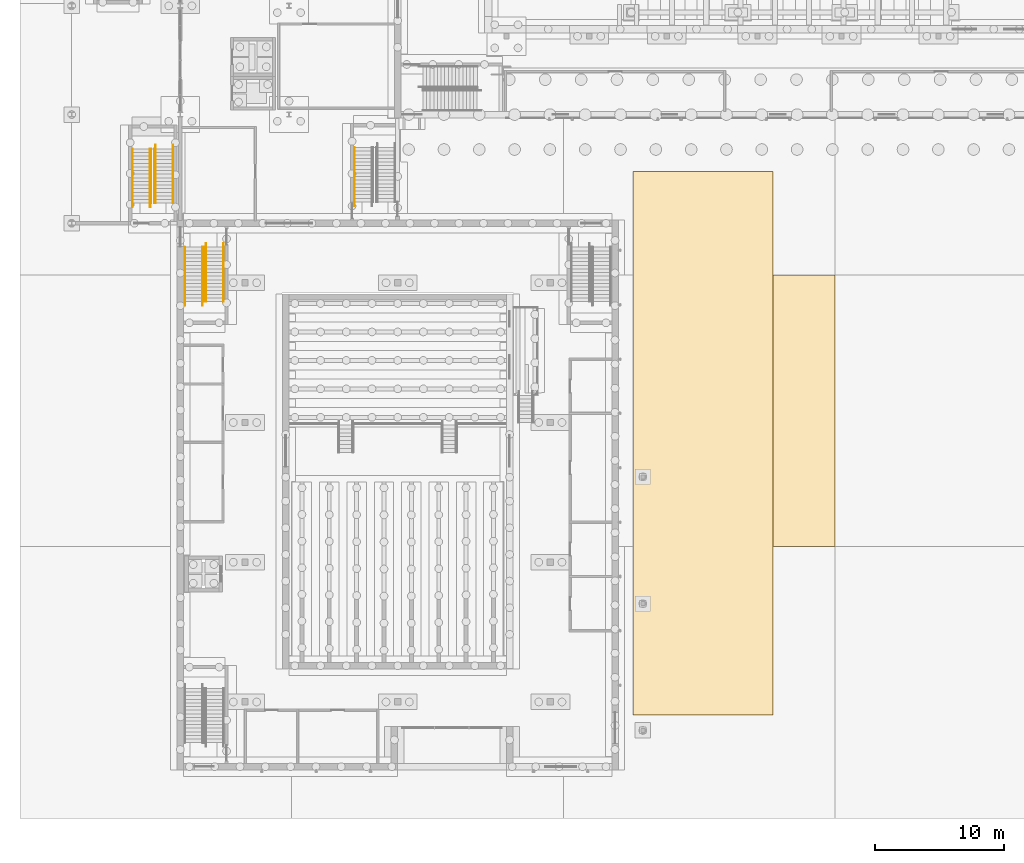
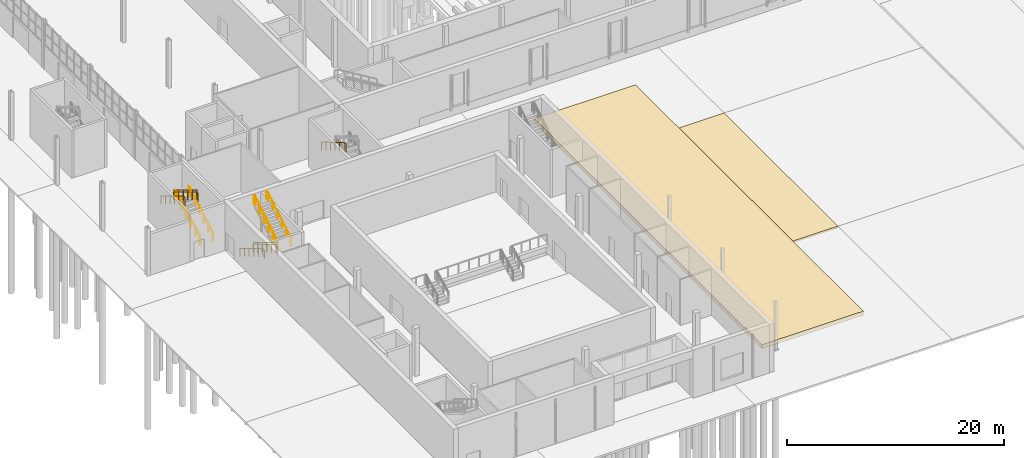
# One storey, part 98 of 127: 13 railings, 2 coverings.
"""IFC4 building model written with IfcOpenShell, lengths in metres."""

from ifc_helpers import new_model, si_unit, direction, frame, origin, origin_2d, place, context, subcontext, project, spatial, polyline, circle, outline, extrude, material, layer, layer_set, type_object, element, save


model = new_model("IFC4")

# Units and contexts
model_context = context("Model", 3, precision=1e-05, world=origin(), true_north=direction((0.0, 1.0)))
body_context = subcontext(model_context, "Body", "Model", "MODEL_VIEW")
ifc_project = project(units=[si_unit("LENGTHUNIT", "METRE"), si_unit("AREAUNIT", "SQUARE_METRE"), si_unit("VOLUMEUNIT", "CUBIC_METRE"), si_unit("PLANEANGLEUNIT", "RADIAN"), si_unit("MASSUNIT", "GRAM", prefix="KILO")], contexts=[model_context])

# Site, building, storey
site_placement = place(None, origin())
site = spatial("IfcSite", under=ifc_project, at=site_placement, CompositionType="ELEMENT")
building_placement = place(site_placement, origin())
building = spatial("IfcBuilding", under=site, at=building_placement, Name="Ljudholm Concert House", CompositionType="ELEMENT")
storey_placement = place(building_placement, origin())
storey = spatial("IfcBuildingStorey", under=building, at=storey_placement, Name="L00", CompositionType="ELEMENT", Elevation=0.0)

# Railings
ifc_material_1 = material(Name="Steel ASTM A36", Category="steel")
railing_type_1 = type_object("IfcRailingType", Name="GUARD 1100", PredefinedType="GUARDRAIL", material=ifc_material_1)
railing_1_placement = place(storey_placement, frame((14.175048828125, 44.14990234375, 0.168701171875)))
element("IfcRailing", 1, at=railing_1_placement, inside=storey, type_object=railing_type_1, Name="Guard", PredefinedType="GUARDRAIL", context=body_context, shape_type="SweptSolid", body=[
    extrude(circle(Radius=0.02490234375, at=origin_2d()), frame((0.0, 0.0, 1.0751953125), z_axis=(0.0, -0.856392657067, 0.516325107778), x_axis=(1.0, 0.0, 0.0)), (0.0, 0.0, 1.0), 0.980712890625),
    extrude(circle(Radius=0.02490234375, at=origin_2d()), frame((0.0, -0.83984375, 1.58154296875), z_axis=(0.0, -0.856569041035, 0.516032438845), x_axis=(1.0, 0.0, 0.0)), (0.0, 0.0, 1.0), 0.980712890625),
    extrude(circle(Radius=0.02490234375, at=origin_2d()), frame((0.0, -1.679931640625, 2.08740234375), z_axis=(0.0, -0.856459004192, 0.516215046409), x_axis=(1.0, 0.0, 0.0)), (0.0, 0.0, 1.0), 0.98095703125),
    extrude(circle(Radius=0.02490234375, at=origin_2d()), frame((0.0, -2.52001953125, 2.59375), z_axis=(0.0, -0.856392657067, 0.516325107778), x_axis=(1.0, 0.0, 0.0)), (0.0, 0.0, 1.0), 0.980712890625),
    extrude(circle(Radius=0.02490234375, at=origin_2d()), frame((0.0, -3.35986328125, 3.10009765625), z_axis=(0.0, -0.856569041035, 0.516032438845), x_axis=(1.0, 0.0, 0.0)), (0.0, 0.0, 1.0), 0.980712890625),
    extrude(circle(Radius=0.02099609375, at=origin_2d()), origin(), (0.0, 0.0, 1.0), 1.050048828125),
    extrude(circle(Radius=0.02099609375, at=origin_2d()), frame((0.0, -0.83984375, 0.50634765625)), (0.0, 0.0, 1.0), 1.050048828125),
    extrude(circle(Radius=0.02099609375, at=origin_2d()), frame((0.0, -1.679931640625, 1.012451171875)), (0.0, 0.0, 1.0), 1.050048828125),
    extrude(circle(Radius=0.02099609375, at=origin_2d()), frame((0.0, -2.52001953125, 1.518798828125)), (0.0, 0.0, 1.0), 1.050048828125),
    extrude(circle(Radius=0.02099609375, at=origin_2d()), frame((0.0, -3.35986328125, 2.025146484375)), (0.0, 0.0, 1.0), 1.050048828125),
    extrude(circle(Radius=0.02099609375, at=origin_2d()), frame((0.0, -4.199951171875, 2.53125)), (0.0, 0.0, 1.0), 1.050048828125),
])
railing_2_placement = place(storey_placement, frame((14.324951171875, 39.949951171875, 2.86865234375)))
element("IfcRailing", 2, at=railing_2_placement, inside=storey, type_object=railing_type_1, Name="Guard", PredefinedType="GUARDRAIL", context=body_context, shape_type="SweptSolid", body=[
    extrude(circle(Radius=0.02490234375, at=origin_2d()), frame((0.0, 0.0, 1.0751953125), z_axis=(0.0, 0.856459004192, 0.516215046409), x_axis=(-1.0, 0.0, 0.0)), (0.0, 0.0, 1.0), 0.98095703125),
    extrude(circle(Radius=0.02490234375, at=origin_2d()), frame((0.0, 0.840087890625, 1.58154296875), z_axis=(0.0, 0.856392657067, 0.516325107778), x_axis=(-1.0, 0.0, 0.0)), (0.0, 0.0, 1.0), 0.980712890625),
    extrude(circle(Radius=0.02490234375, at=origin_2d()), frame((0.0, 1.679931640625, 2.087890625), z_axis=(0.0, 0.856569041035, 0.516032438845), x_axis=(-1.0, 0.0, 0.0)), (0.0, 0.0, 1.0), 0.980712890625),
    extrude(circle(Radius=0.02490234375, at=origin_2d()), frame((0.0, 2.52001953125, 2.59375), z_axis=(0.0, 0.856459004192, 0.516215046409), x_axis=(-1.0, 0.0, 0.0)), (0.0, 0.0, 1.0), 0.98095703125),
    extrude(circle(Radius=0.02490234375, at=origin_2d()), frame((0.0, 3.360107421875, 3.10009765625), z_axis=(0.0, 0.856502732318, 0.516142489563), x_axis=(-1.0, 0.0, 0.0)), (0.0, 0.0, 1.0), 0.98046875),
    extrude(circle(Radius=0.02099609375, at=origin_2d()), origin(), (0.0, 0.0, 1.0), 1.050048828125),
    extrude(circle(Radius=0.02099609375, at=origin_2d()), frame((0.0, 0.840087890625, 0.50634765625)), (0.0, 0.0, 1.0), 1.050048828125),
    extrude(circle(Radius=0.02099609375, at=origin_2d()), frame((0.0, 1.679931640625, 1.0126953125)), (0.0, 0.0, 1.0), 1.050048828125),
    extrude(circle(Radius=0.02099609375, at=origin_2d()), frame((0.0, 2.52001953125, 1.518798828125)), (0.0, 0.0, 1.0), 1.050048828125),
    extrude(circle(Radius=0.02099609375, at=origin_2d()), frame((0.0, 3.360107421875, 2.025146484375)), (0.0, 0.0, 1.0), 1.050048828125),
    extrude(circle(Radius=0.02099609375, at=origin_2d()), frame((0.0, 4.199951171875, 2.53125)), (0.0, 0.0, 1.0), 1.050048828125),
])
railing_3_placement = place(storey_placement, frame((10.425048828125, 47.550048828125, 0.168701171875)))
element("IfcRailing", 3, at=railing_3_placement, inside=storey, type_object=railing_type_1, Name="Guard", PredefinedType="GUARDRAIL", context=body_context, shape_type="SweptSolid", body=[
    extrude(circle(Radius=0.02490234375, at=origin_2d()), frame((0.0, 0.0, 1.0751953125), z_axis=(0.0, 0.856392657067, 0.516325107778), x_axis=(-1.0, 0.0, 0.0)), (0.0, 0.0, 1.0), 0.980712890625),
    extrude(circle(Radius=0.02490234375, at=origin_2d()), frame((0.0, 0.83984375, 1.58154296875), z_axis=(0.0, 0.856569041035, 0.516032438845), x_axis=(-1.0, 0.0, 0.0)), (0.0, 0.0, 1.0), 0.980712890625),
    extrude(circle(Radius=0.02490234375, at=origin_2d()), frame((0.0, 1.679931640625, 2.08740234375), z_axis=(0.0, 0.856459004192, 0.516215046409), x_axis=(-1.0, 0.0, 0.0)), (0.0, 0.0, 1.0), 0.98095703125),
    extrude(circle(Radius=0.02490234375, at=origin_2d()), frame((0.0, 2.52001953125, 2.59375), z_axis=(0.0, 0.856392657067, 0.516325107778), x_axis=(-1.0, 0.0, 0.0)), (0.0, 0.0, 1.0), 0.980712890625),
    extrude(circle(Radius=0.02490234375, at=origin_2d()), frame((0.0, 3.35986328125, 3.10009765625), z_axis=(0.0, 0.856569041035, 0.516032438845), x_axis=(-1.0, 0.0, 0.0)), (0.0, 0.0, 1.0), 0.980712890625),
    extrude(circle(Radius=0.02099609375, at=origin_2d()), origin(), (0.0, 0.0, 1.0), 1.050048828125),
    extrude(circle(Radius=0.02099609375, at=origin_2d()), frame((0.0, 0.83984375, 0.50634765625)), (0.0, 0.0, 1.0), 1.050048828125),
    extrude(circle(Radius=0.02099609375, at=origin_2d()), frame((0.0, 1.679931640625, 1.012451171875)), (0.0, 0.0, 1.0), 1.050048828125),
    extrude(circle(Radius=0.02099609375, at=origin_2d()), frame((0.0, 2.52001953125, 1.518798828125)), (0.0, 0.0, 1.0), 1.050048828125),
    extrude(circle(Radius=0.02099609375, at=origin_2d()), frame((0.0, 3.35986328125, 2.025146484375)), (0.0, 0.0, 1.0), 1.050048828125),
    extrude(circle(Radius=0.02099609375, at=origin_2d()), frame((0.0, 4.199951171875, 2.53125)), (0.0, 0.0, 1.0), 1.050048828125),
])
railing_4_placement = place(storey_placement, frame((10.125, 51.75, 2.86865234375)))
element("IfcRailing", 4, at=railing_4_placement, inside=storey, type_object=railing_type_1, Name="Guard", PredefinedType="GUARDRAIL", context=body_context, shape_type="SweptSolid", body=[
    extrude(circle(Radius=0.02490234375, at=origin_2d()), frame((0.0, 0.0, 1.0751953125), z_axis=(0.0, -0.856459004192, 0.516215046409), x_axis=(1.0, 0.0, 0.0)), (0.0, 0.0, 1.0), 0.98095703125),
    extrude(circle(Radius=0.02490234375, at=origin_2d()), frame((0.0, -0.840087890625, 1.58154296875), z_axis=(0.0, -0.856392657067, 0.516325107778), x_axis=(1.0, 0.0, 0.0)), (0.0, 0.0, 1.0), 0.980712890625),
    extrude(circle(Radius=0.02490234375, at=origin_2d()), frame((0.0, -1.679931640625, 2.087890625), z_axis=(0.0, -0.856569041035, 0.516032438845), x_axis=(1.0, 0.0, 0.0)), (0.0, 0.0, 1.0), 0.980712890625),
    extrude(circle(Radius=0.02490234375, at=origin_2d()), frame((0.0, -2.52001953125, 2.59375), z_axis=(0.0, -0.856459004192, 0.516215046409), x_axis=(1.0, 0.0, 0.0)), (0.0, 0.0, 1.0), 0.98095703125),
    extrude(circle(Radius=0.02490234375, at=origin_2d()), frame((0.0, -3.360107421875, 3.10009765625), z_axis=(0.0, -0.856502732318, 0.516142489563), x_axis=(1.0, 0.0, 0.0)), (0.0, 0.0, 1.0), 0.98046875),
    extrude(circle(Radius=0.02099609375, at=origin_2d()), origin(), (0.0, 0.0, 1.0), 1.050048828125),
    extrude(circle(Radius=0.02099609375, at=origin_2d()), frame((0.0, -0.840087890625, 0.50634765625)), (0.0, 0.0, 1.0), 1.050048828125),
    extrude(circle(Radius=0.02099609375, at=origin_2d()), frame((0.0, -1.679931640625, 1.0126953125)), (0.0, 0.0, 1.0), 1.050048828125),
    extrude(circle(Radius=0.02099609375, at=origin_2d()), frame((0.0, -2.52001953125, 1.518798828125)), (0.0, 0.0, 1.0), 1.050048828125),
    extrude(circle(Radius=0.02099609375, at=origin_2d()), frame((0.0, -3.360107421875, 2.025146484375)), (0.0, 0.0, 1.0), 1.050048828125),
    extrude(circle(Radius=0.02099609375, at=origin_2d()), frame((0.0, -4.199951171875, 2.53125)), (0.0, 0.0, 1.0), 1.050048828125),
])
ifc_material_2 = material(Name="Steel ASTM A36", Category="steel")
railing_type_2 = type_object("IfcRailingType", Name="HANDRAIL 900", PredefinedType="HANDRAIL", material=ifc_material_2)
railing_5_placement = place(storey_placement, frame((14.125, 44.14990234375, 0.168701171875)))
element("IfcRailing", 5, at=railing_5_placement, inside=storey, type_object=railing_type_2, Name="Handrail", PredefinedType="HANDRAIL", context=body_context, shape_type="SweptSolid", body=[
    extrude(circle(Radius=0.0224609375, at=origin_2d()), frame((0.0, 0.0, 0.87744140625), z_axis=(0.0, -0.856392657067, 0.516325107778), x_axis=(1.0, 0.0, 0.0)), (0.0, 0.0, 1.0), 0.980712890625),
    extrude(circle(Radius=0.0224609375, at=origin_2d()), frame((0.0, -0.83984375, 1.3837890625), z_axis=(0.0, -0.856569041035, 0.516032438845), x_axis=(1.0, 0.0, 0.0)), (0.0, 0.0, 1.0), 0.980712890625),
    extrude(circle(Radius=0.0224609375, at=origin_2d()), frame((0.0, -1.679931640625, 1.889892578125), z_axis=(0.0, -0.856459004192, 0.516215046409), x_axis=(1.0, 0.0, 0.0)), (0.0, 0.0, 1.0), 0.98095703125),
    extrude(circle(Radius=0.0224609375, at=origin_2d()), frame((0.0, -2.52001953125, 2.396240234375), z_axis=(0.0, -0.856392657067, 0.516325107778), x_axis=(1.0, 0.0, 0.0)), (0.0, 0.0, 1.0), 0.980712890625),
    extrude(circle(Radius=0.0224609375, at=origin_2d()), frame((0.0, -3.35986328125, 2.902587890625), z_axis=(0.0, -0.856569041035, 0.516032438845), x_axis=(1.0, 0.0, 0.0)), (0.0, 0.0, 1.0), 0.980712890625),
    extrude(circle(Radius=0.0224609375, at=origin_2d()), frame((0.0, -4.199951171875, 3.40869140625), z_axis=(0.0, -1.0, 0.0), x_axis=(1.0, 0.0, 0.0)), (0.0, 0.0, 1.0), 0.300048828125),
    extrude(circle(Radius=0.02099609375, at=origin_2d()), origin(), (0.0, 0.0, 1.0), 0.85498046875),
    extrude(circle(Radius=0.02099609375, at=origin_2d()), frame((0.0, -0.83984375, 0.50634765625)), (0.0, 0.0, 1.0), 0.85498046875),
    extrude(circle(Radius=0.02099609375, at=origin_2d()), frame((0.0, -1.679931640625, 1.012451171875)), (0.0, 0.0, 1.0), 0.85498046875),
    extrude(circle(Radius=0.02099609375, at=origin_2d()), frame((0.0, -2.52001953125, 1.518798828125)), (0.0, 0.0, 1.0), 0.85498046875),
    extrude(circle(Radius=0.02099609375, at=origin_2d()), frame((0.0, -3.35986328125, 2.025146484375)), (0.0, 0.0, 1.0), 0.85498046875),
    extrude(circle(Radius=0.02099609375, at=origin_2d()), frame((0.0, -4.199951171875, 2.53125)), (0.0, 0.0, 1.0), 0.85498046875),
    extrude(circle(Radius=0.02099609375, at=origin_2d()), frame((0.0, -4.5, 2.53125)), (0.0, 0.0, 1.0), 0.85498046875),
])
railing_6_placement = place(storey_placement, frame((12.75, 44.14990234375, 0.168701171875)))
element("IfcRailing", 6, at=railing_6_placement, inside=storey, type_object=railing_type_2, Name="Handrail", PredefinedType="HANDRAIL", context=body_context, shape_type="SweptSolid", body=[
    extrude(circle(Radius=0.0224609375, at=origin_2d()), frame((0.0, 0.0, 0.87744140625), z_axis=(0.0, -0.856392657067, 0.516325107778), x_axis=(1.0, 0.0, 0.0)), (0.0, 0.0, 1.0), 0.980712890625),
    extrude(circle(Radius=0.0224609375, at=origin_2d()), frame((0.0, -0.83984375, 1.3837890625), z_axis=(0.0, -0.856569041035, 0.516032438845), x_axis=(1.0, 0.0, 0.0)), (0.0, 0.0, 1.0), 0.980712890625),
    extrude(circle(Radius=0.0224609375, at=origin_2d()), frame((0.0, -1.679931640625, 1.889892578125), z_axis=(0.0, -0.856459004192, 0.516215046409), x_axis=(1.0, 0.0, 0.0)), (0.0, 0.0, 1.0), 0.98095703125),
    extrude(circle(Radius=0.0224609375, at=origin_2d()), frame((0.0, -2.52001953125, 2.396240234375), z_axis=(0.0, -0.856392657067, 0.516325107778), x_axis=(1.0, 0.0, 0.0)), (0.0, 0.0, 1.0), 0.980712890625),
    extrude(circle(Radius=0.0224609375, at=origin_2d()), frame((0.0, -3.35986328125, 2.902587890625), z_axis=(0.0, -0.856569041035, 0.516032438845), x_axis=(1.0, 0.0, 0.0)), (0.0, 0.0, 1.0), 0.980712890625),
    extrude(circle(Radius=0.0224609375, at=origin_2d()), frame((0.0, -4.199951171875, 3.40869140625), z_axis=(0.0, -1.0, 0.0), x_axis=(1.0, 0.0, 0.0)), (0.0, 0.0, 1.0), 0.300048828125),
    extrude(circle(Radius=0.02099609375, at=origin_2d()), origin(), (0.0, 0.0, 1.0), 0.85498046875),
    extrude(circle(Radius=0.02099609375, at=origin_2d()), frame((0.0, -0.83984375, 0.50634765625)), (0.0, 0.0, 1.0), 0.85498046875),
    extrude(circle(Radius=0.02099609375, at=origin_2d()), frame((0.0, -1.679931640625, 1.012451171875)), (0.0, 0.0, 1.0), 0.85498046875),
    extrude(circle(Radius=0.02099609375, at=origin_2d()), frame((0.0, -2.52001953125, 1.518798828125)), (0.0, 0.0, 1.0), 0.85498046875),
    extrude(circle(Radius=0.02099609375, at=origin_2d()), frame((0.0, -3.35986328125, 2.025146484375)), (0.0, 0.0, 1.0), 0.85498046875),
    extrude(circle(Radius=0.02099609375, at=origin_2d()), frame((0.0, -4.199951171875, 2.53125)), (0.0, 0.0, 1.0), 0.85498046875),
    extrude(circle(Radius=0.02099609375, at=origin_2d()), frame((0.0, -4.5, 2.53125)), (0.0, 0.0, 1.0), 0.85498046875),
])
railing_7_placement = place(storey_placement, frame((14.375, 39.949951171875, 2.86865234375)))
element("IfcRailing", 7, at=railing_7_placement, inside=storey, type_object=railing_type_2, Name="Handrail", PredefinedType="HANDRAIL", context=body_context, shape_type="SweptSolid", body=[
    extrude(circle(Radius=0.0224609375, at=origin_2d()), frame((0.0, 0.0, 0.87744140625), z_axis=(0.0, 0.856459004192, 0.516215046409), x_axis=(-1.0, 0.0, 0.0)), (0.0, 0.0, 1.0), 0.98095703125),
    extrude(circle(Radius=0.0224609375, at=origin_2d()), frame((0.0, 0.840087890625, 1.3837890625), z_axis=(0.0, 0.856392657067, 0.516325107778), x_axis=(-1.0, 0.0, 0.0)), (0.0, 0.0, 1.0), 0.980712890625),
    extrude(circle(Radius=0.0224609375, at=origin_2d()), frame((0.0, 1.679931640625, 1.89013671875), z_axis=(0.0, 0.856569041035, 0.516032438845), x_axis=(-1.0, 0.0, 0.0)), (0.0, 0.0, 1.0), 0.980712890625),
    extrude(circle(Radius=0.0224609375, at=origin_2d()), frame((0.0, 2.52001953125, 2.396240234375), z_axis=(0.0, 0.856459004192, 0.516215046409), x_axis=(-1.0, 0.0, 0.0)), (0.0, 0.0, 1.0), 0.98095703125),
    extrude(circle(Radius=0.0224609375, at=origin_2d()), frame((0.0, 3.360107421875, 2.902587890625), z_axis=(0.0, 0.856502732318, 0.516142489563), x_axis=(-1.0, 0.0, 0.0)), (0.0, 0.0, 1.0), 0.98046875),
    extrude(circle(Radius=0.0224609375, at=origin_2d()), frame((0.0, 4.199951171875, 3.40869140625), z_axis=(0.0, 1.0, 0.0), x_axis=(-1.0, 0.0, 0.0)), (0.0, 0.0, 1.0), 0.300048828125),
    extrude(circle(Radius=0.02099609375, at=origin_2d()), origin(), (0.0, 0.0, 1.0), 0.85498046875),
    extrude(circle(Radius=0.02099609375, at=origin_2d()), frame((0.0, 0.840087890625, 0.50634765625)), (0.0, 0.0, 1.0), 0.85498046875),
    extrude(circle(Radius=0.02099609375, at=origin_2d()), frame((0.0, 1.679931640625, 1.0126953125)), (0.0, 0.0, 1.0), 0.85498046875),
    extrude(circle(Radius=0.02099609375, at=origin_2d()), frame((0.0, 2.52001953125, 1.518798828125)), (0.0, 0.0, 1.0), 0.85498046875),
    extrude(circle(Radius=0.02099609375, at=origin_2d()), frame((0.0, 3.360107421875, 2.025146484375)), (0.0, 0.0, 1.0), 0.85498046875),
    extrude(circle(Radius=0.02099609375, at=origin_2d()), frame((0.0, 4.199951171875, 2.53125)), (0.0, 0.0, 1.0), 0.85498046875),
    extrude(circle(Radius=0.02099609375, at=origin_2d()), frame((0.0, 4.5, 2.53125)), (0.0, 0.0, 1.0), 0.85498046875),
])
railing_8_placement = place(storey_placement, frame((15.75, 39.949951171875, 2.86865234375)))
element("IfcRailing", 8, at=railing_8_placement, inside=storey, type_object=railing_type_2, Name="Handrail", PredefinedType="HANDRAIL", context=body_context, shape_type="SweptSolid", body=[
    extrude(circle(Radius=0.0224609375, at=origin_2d()), frame((0.0, 0.0, 0.87744140625), z_axis=(0.0, 0.856459004192, 0.516215046409), x_axis=(-1.0, 0.0, 0.0)), (0.0, 0.0, 1.0), 0.98095703125),
    extrude(circle(Radius=0.0224609375, at=origin_2d()), frame((0.0, 0.840087890625, 1.3837890625), z_axis=(0.0, 0.856392657067, 0.516325107778), x_axis=(-1.0, 0.0, 0.0)), (0.0, 0.0, 1.0), 0.980712890625),
    extrude(circle(Radius=0.0224609375, at=origin_2d()), frame((0.0, 1.679931640625, 1.89013671875), z_axis=(0.0, 0.856569041035, 0.516032438845), x_axis=(-1.0, 0.0, 0.0)), (0.0, 0.0, 1.0), 0.980712890625),
    extrude(circle(Radius=0.0224609375, at=origin_2d()), frame((0.0, 2.52001953125, 2.396240234375), z_axis=(0.0, 0.856459004192, 0.516215046409), x_axis=(-1.0, 0.0, 0.0)), (0.0, 0.0, 1.0), 0.98095703125),
    extrude(circle(Radius=0.0224609375, at=origin_2d()), frame((0.0, 3.360107421875, 2.902587890625), z_axis=(0.0, 0.856502732318, 0.516142489563), x_axis=(-1.0, 0.0, 0.0)), (0.0, 0.0, 1.0), 0.98046875),
    extrude(circle(Radius=0.0224609375, at=origin_2d()), frame((0.0, 4.199951171875, 3.40869140625), z_axis=(0.0, 1.0, 0.0), x_axis=(-1.0, 0.0, 0.0)), (0.0, 0.0, 1.0), 0.300048828125),
    extrude(circle(Radius=0.02099609375, at=origin_2d()), origin(), (0.0, 0.0, 1.0), 0.85498046875),
    extrude(circle(Radius=0.02099609375, at=origin_2d()), frame((0.0, 0.840087890625, 0.50634765625)), (0.0, 0.0, 1.0), 0.85498046875),
    extrude(circle(Radius=0.02099609375, at=origin_2d()), frame((0.0, 1.679931640625, 1.0126953125)), (0.0, 0.0, 1.0), 0.85498046875),
    extrude(circle(Radius=0.02099609375, at=origin_2d()), frame((0.0, 2.52001953125, 1.518798828125)), (0.0, 0.0, 1.0), 0.85498046875),
    extrude(circle(Radius=0.02099609375, at=origin_2d()), frame((0.0, 3.360107421875, 2.025146484375)), (0.0, 0.0, 1.0), 0.85498046875),
    extrude(circle(Radius=0.02099609375, at=origin_2d()), frame((0.0, 4.199951171875, 2.53125)), (0.0, 0.0, 1.0), 0.85498046875),
    extrude(circle(Radius=0.02099609375, at=origin_2d()), frame((0.0, 4.5, 2.53125)), (0.0, 0.0, 1.0), 0.85498046875),
])
railing_9_placement = place(storey_placement, frame((10.47509765625, 47.550048828125, 0.168701171875)))
element("IfcRailing", 9, at=railing_9_placement, inside=storey, type_object=railing_type_2, Name="Handrail", PredefinedType="HANDRAIL", context=body_context, shape_type="SweptSolid", body=[
    extrude(circle(Radius=0.0224609375, at=origin_2d()), frame((0.0, 0.0, 0.87744140625), z_axis=(0.0, 0.856392657067, 0.516325107778), x_axis=(-1.0, 0.0, 0.0)), (0.0, 0.0, 1.0), 0.980712890625),
    extrude(circle(Radius=0.0224609375, at=origin_2d()), frame((0.0, 0.83984375, 1.3837890625), z_axis=(0.0, 0.856569041035, 0.516032438845), x_axis=(-1.0, 0.0, 0.0)), (0.0, 0.0, 1.0), 0.980712890625),
    extrude(circle(Radius=0.0224609375, at=origin_2d()), frame((0.0, 1.679931640625, 1.889892578125), z_axis=(0.0, 0.856459004192, 0.516215046409), x_axis=(-1.0, 0.0, 0.0)), (0.0, 0.0, 1.0), 0.98095703125),
    extrude(circle(Radius=0.0224609375, at=origin_2d()), frame((0.0, 2.52001953125, 2.396240234375), z_axis=(0.0, 0.856392657067, 0.516325107778), x_axis=(-1.0, 0.0, 0.0)), (0.0, 0.0, 1.0), 0.980712890625),
    extrude(circle(Radius=0.0224609375, at=origin_2d()), frame((0.0, 3.35986328125, 2.902587890625), z_axis=(0.0, 0.856569041035, 0.516032438845), x_axis=(-1.0, 0.0, 0.0)), (0.0, 0.0, 1.0), 0.980712890625),
    extrude(circle(Radius=0.0224609375, at=origin_2d()), frame((0.0, 4.199951171875, 3.40869140625), z_axis=(0.0, 1.0, 0.0), x_axis=(-1.0, 0.0, 0.0)), (0.0, 0.0, 1.0), 0.300048828125),
    extrude(circle(Radius=0.02099609375, at=origin_2d()), origin(), (0.0, 0.0, 1.0), 0.85498046875),
    extrude(circle(Radius=0.02099609375, at=origin_2d()), frame((0.0, 0.83984375, 0.50634765625)), (0.0, 0.0, 1.0), 0.85498046875),
    extrude(circle(Radius=0.02099609375, at=origin_2d()), frame((0.0, 1.679931640625, 1.012451171875)), (0.0, 0.0, 1.0), 0.85498046875),
    extrude(circle(Radius=0.02099609375, at=origin_2d()), frame((0.0, 2.52001953125, 1.518798828125)), (0.0, 0.0, 1.0), 0.85498046875),
    extrude(circle(Radius=0.02099609375, at=origin_2d()), frame((0.0, 3.35986328125, 2.025146484375)), (0.0, 0.0, 1.0), 0.85498046875),
    extrude(circle(Radius=0.02099609375, at=origin_2d()), frame((0.0, 4.199951171875, 2.53125)), (0.0, 0.0, 1.0), 0.85498046875),
    extrude(circle(Radius=0.02099609375, at=origin_2d()), frame((0.0, 4.5, 2.53125)), (0.0, 0.0, 1.0), 0.85498046875),
])
railing_10_placement = place(storey_placement, frame((11.85009765625, 47.550048828125, 0.168701171875)))
element("IfcRailing", 10, at=railing_10_placement, inside=storey, type_object=railing_type_2, Name="Handrail", PredefinedType="HANDRAIL", context=body_context, shape_type="SweptSolid", body=[
    extrude(circle(Radius=0.0224609375, at=origin_2d()), frame((0.0, 0.0, 0.87744140625), z_axis=(0.0, 0.856392657067, 0.516325107778), x_axis=(-1.0, 0.0, 0.0)), (0.0, 0.0, 1.0), 0.980712890625),
    extrude(circle(Radius=0.0224609375, at=origin_2d()), frame((0.0, 0.83984375, 1.3837890625), z_axis=(0.0, 0.856569041035, 0.516032438845), x_axis=(-1.0, 0.0, 0.0)), (0.0, 0.0, 1.0), 0.980712890625),
    extrude(circle(Radius=0.0224609375, at=origin_2d()), frame((0.0, 1.679931640625, 1.889892578125), z_axis=(0.0, 0.856459004192, 0.516215046409), x_axis=(-1.0, 0.0, 0.0)), (0.0, 0.0, 1.0), 0.98095703125),
    extrude(circle(Radius=0.0224609375, at=origin_2d()), frame((0.0, 2.52001953125, 2.396240234375), z_axis=(0.0, 0.856392657067, 0.516325107778), x_axis=(-1.0, 0.0, 0.0)), (0.0, 0.0, 1.0), 0.980712890625),
    extrude(circle(Radius=0.0224609375, at=origin_2d()), frame((0.0, 3.35986328125, 2.902587890625), z_axis=(0.0, 0.856569041035, 0.516032438845), x_axis=(-1.0, 0.0, 0.0)), (0.0, 0.0, 1.0), 0.980712890625),
    extrude(circle(Radius=0.0224609375, at=origin_2d()), frame((0.0, 4.199951171875, 3.40869140625), z_axis=(0.0, 1.0, 0.0), x_axis=(-1.0, 0.0, 0.0)), (0.0, 0.0, 1.0), 0.300048828125),
    extrude(circle(Radius=0.02099609375, at=origin_2d()), origin(), (0.0, 0.0, 1.0), 0.85498046875),
    extrude(circle(Radius=0.02099609375, at=origin_2d()), frame((0.0, 0.83984375, 0.50634765625)), (0.0, 0.0, 1.0), 0.85498046875),
    extrude(circle(Radius=0.02099609375, at=origin_2d()), frame((0.0, 1.679931640625, 1.012451171875)), (0.0, 0.0, 1.0), 0.85498046875),
    extrude(circle(Radius=0.02099609375, at=origin_2d()), frame((0.0, 2.52001953125, 1.518798828125)), (0.0, 0.0, 1.0), 0.85498046875),
    extrude(circle(Radius=0.02099609375, at=origin_2d()), frame((0.0, 3.35986328125, 2.025146484375)), (0.0, 0.0, 1.0), 0.85498046875),
    extrude(circle(Radius=0.02099609375, at=origin_2d()), frame((0.0, 4.199951171875, 2.53125)), (0.0, 0.0, 1.0), 0.85498046875),
    extrude(circle(Radius=0.02099609375, at=origin_2d()), frame((0.0, 4.5, 2.53125)), (0.0, 0.0, 1.0), 0.85498046875),
])
railing_11_placement = place(storey_placement, frame((10.074951171875, 51.75, 2.86865234375)))
element("IfcRailing", 11, at=railing_11_placement, inside=storey, type_object=railing_type_2, Name="Handrail", PredefinedType="HANDRAIL", context=body_context, shape_type="SweptSolid", body=[
    extrude(circle(Radius=0.0224609375, at=origin_2d()), frame((0.0, 0.0, 0.87744140625), z_axis=(0.0, -0.856459004192, 0.516215046409), x_axis=(1.0, 0.0, 0.0)), (0.0, 0.0, 1.0), 0.98095703125),
    extrude(circle(Radius=0.0224609375, at=origin_2d()), frame((0.0, -0.840087890625, 1.3837890625), z_axis=(0.0, -0.856392657067, 0.516325107778), x_axis=(1.0, 0.0, 0.0)), (0.0, 0.0, 1.0), 0.980712890625),
    extrude(circle(Radius=0.0224609375, at=origin_2d()), frame((0.0, -1.679931640625, 1.89013671875), z_axis=(0.0, -0.856569041035, 0.516032438845), x_axis=(1.0, 0.0, 0.0)), (0.0, 0.0, 1.0), 0.980712890625),
    extrude(circle(Radius=0.0224609375, at=origin_2d()), frame((0.0, -2.52001953125, 2.396240234375), z_axis=(0.0, -0.856459004192, 0.516215046409), x_axis=(1.0, 0.0, 0.0)), (0.0, 0.0, 1.0), 0.98095703125),
    extrude(circle(Radius=0.0224609375, at=origin_2d()), frame((0.0, -3.360107421875, 2.902587890625), z_axis=(0.0, -0.856502732318, 0.516142489563), x_axis=(1.0, 0.0, 0.0)), (0.0, 0.0, 1.0), 0.98046875),
    extrude(circle(Radius=0.0224609375, at=origin_2d()), frame((0.0, -4.199951171875, 3.40869140625), z_axis=(0.0, -1.0, 0.0), x_axis=(1.0, 0.0, 0.0)), (0.0, 0.0, 1.0), 0.300048828125),
    extrude(circle(Radius=0.02099609375, at=origin_2d()), origin(), (0.0, 0.0, 1.0), 0.85498046875),
    extrude(circle(Radius=0.02099609375, at=origin_2d()), frame((0.0, -0.840087890625, 0.50634765625)), (0.0, 0.0, 1.0), 0.85498046875),
    extrude(circle(Radius=0.02099609375, at=origin_2d()), frame((0.0, -1.679931640625, 1.0126953125)), (0.0, 0.0, 1.0), 0.85498046875),
    extrude(circle(Radius=0.02099609375, at=origin_2d()), frame((0.0, -2.52001953125, 1.518798828125)), (0.0, 0.0, 1.0), 0.85498046875),
    extrude(circle(Radius=0.02099609375, at=origin_2d()), frame((0.0, -3.360107421875, 2.025146484375)), (0.0, 0.0, 1.0), 0.85498046875),
    extrude(circle(Radius=0.02099609375, at=origin_2d()), frame((0.0, -4.199951171875, 2.53125)), (0.0, 0.0, 1.0), 0.85498046875),
    extrude(circle(Radius=0.02099609375, at=origin_2d()), frame((0.0, -4.5, 2.53125)), (0.0, 0.0, 1.0), 0.85498046875),
])
railing_12_placement = place(storey_placement, frame((8.699951171875, 51.75, 2.86865234375)))
element("IfcRailing", 12, at=railing_12_placement, inside=storey, type_object=railing_type_2, Name="Handrail", PredefinedType="HANDRAIL", context=body_context, shape_type="SweptSolid", body=[
    extrude(circle(Radius=0.0224609375, at=origin_2d()), frame((0.0, 0.0, 0.87744140625), z_axis=(0.0, -0.856459004192, 0.516215046409), x_axis=(1.0, 0.0, 0.0)), (0.0, 0.0, 1.0), 0.98095703125),
    extrude(circle(Radius=0.0224609375, at=origin_2d()), frame((0.0, -0.840087890625, 1.3837890625), z_axis=(0.0, -0.856392657067, 0.516325107778), x_axis=(1.0, 0.0, 0.0)), (0.0, 0.0, 1.0), 0.980712890625),
    extrude(circle(Radius=0.0224609375, at=origin_2d()), frame((0.0, -1.679931640625, 1.89013671875), z_axis=(0.0, -0.856569041035, 0.516032438845), x_axis=(1.0, 0.0, 0.0)), (0.0, 0.0, 1.0), 0.980712890625),
    extrude(circle(Radius=0.0224609375, at=origin_2d()), frame((0.0, -2.52001953125, 2.396240234375), z_axis=(0.0, -0.856459004192, 0.516215046409), x_axis=(1.0, 0.0, 0.0)), (0.0, 0.0, 1.0), 0.98095703125),
    extrude(circle(Radius=0.0224609375, at=origin_2d()), frame((0.0, -3.360107421875, 2.902587890625), z_axis=(0.0, -0.856502732318, 0.516142489563), x_axis=(1.0, 0.0, 0.0)), (0.0, 0.0, 1.0), 0.98046875),
    extrude(circle(Radius=0.0224609375, at=origin_2d()), frame((0.0, -4.199951171875, 3.40869140625), z_axis=(0.0, -1.0, 0.0), x_axis=(1.0, 0.0, 0.0)), (0.0, 0.0, 1.0), 0.300048828125),
    extrude(circle(Radius=0.02099609375, at=origin_2d()), origin(), (0.0, 0.0, 1.0), 0.85498046875),
    extrude(circle(Radius=0.02099609375, at=origin_2d()), frame((0.0, -0.840087890625, 0.50634765625)), (0.0, 0.0, 1.0), 0.85498046875),
    extrude(circle(Radius=0.02099609375, at=origin_2d()), frame((0.0, -1.679931640625, 1.0126953125)), (0.0, 0.0, 1.0), 0.85498046875),
    extrude(circle(Radius=0.02099609375, at=origin_2d()), frame((0.0, -2.52001953125, 1.518798828125)), (0.0, 0.0, 1.0), 0.85498046875),
    extrude(circle(Radius=0.02099609375, at=origin_2d()), frame((0.0, -3.360107421875, 2.025146484375)), (0.0, 0.0, 1.0), 0.85498046875),
    extrude(circle(Radius=0.02099609375, at=origin_2d()), frame((0.0, -4.199951171875, 2.53125)), (0.0, 0.0, 1.0), 0.85498046875),
    extrude(circle(Radius=0.02099609375, at=origin_2d()), frame((0.0, -4.5, 2.53125)), (0.0, 0.0, 1.0), 0.85498046875),
])
railing_13_placement = place(storey_placement, frame((25.85009765625, 51.85009765625, 2.86865234375)))
element("IfcRailing", 13, at=railing_13_placement, inside=storey, type_object=railing_type_2, Name="Handrail", PredefinedType="HANDRAIL", context=body_context, shape_type="SweptSolid", body=[
    extrude(circle(Radius=0.0224609375, at=origin_2d()), frame((0.0, 0.0, 0.87744140625), z_axis=(0.0, -0.856459004192, 0.516215046409), x_axis=(1.0, 0.0, 0.0)), (0.0, 0.0, 1.0), 0.98095703125),
    extrude(circle(Radius=0.0224609375, at=origin_2d()), frame((0.0, -0.840087890625, 1.3837890625), z_axis=(0.0, -0.856459004192, 0.516215046409), x_axis=(1.0, 0.0, 0.0)), (0.0, 0.0, 1.0), 0.98095703125),
    extrude(circle(Radius=0.0224609375, at=origin_2d()), frame((0.0, -1.68017578125, 1.89013671875), z_axis=(0.0, -0.856502732318, 0.516142489563), x_axis=(1.0, 0.0, 0.0)), (0.0, 0.0, 1.0), 0.98046875),
    extrude(circle(Radius=0.0224609375, at=origin_2d()), frame((0.0, -2.52001953125, 2.396240234375), z_axis=(0.0, -0.856459004192, 0.516215046409), x_axis=(1.0, 0.0, 0.0)), (0.0, 0.0, 1.0), 0.98095703125),
    extrude(circle(Radius=0.0224609375, at=origin_2d()), frame((0.0, -3.360107421875, 2.902587890625), z_axis=(0.0, -0.856569041035, 0.516032438845), x_axis=(1.0, 0.0, 0.0)), (0.0, 0.0, 1.0), 0.980712890625),
    extrude(circle(Radius=0.0224609375, at=origin_2d()), frame((0.0, -4.2001953125, 3.40869140625), z_axis=(0.0, -1.0, 0.0), x_axis=(1.0, 0.0, 0.0)), (0.0, 0.0, 1.0), 0.2998046875),
    extrude(circle(Radius=0.02099609375, at=origin_2d()), origin(), (0.0, 0.0, 1.0), 0.85498046875),
    extrude(circle(Radius=0.02099609375, at=origin_2d()), frame((0.0, -0.840087890625, 0.50634765625)), (0.0, 0.0, 1.0), 0.85498046875),
    extrude(circle(Radius=0.02099609375, at=origin_2d()), frame((0.0, -1.68017578125, 1.0126953125)), (0.0, 0.0, 1.0), 0.85498046875),
    extrude(circle(Radius=0.02099609375, at=origin_2d()), frame((0.0, -2.52001953125, 1.518798828125)), (0.0, 0.0, 1.0), 0.85498046875),
    extrude(circle(Radius=0.02099609375, at=origin_2d()), frame((0.0, -3.360107421875, 2.025146484375)), (0.0, 0.0, 1.0), 0.85498046875),
    extrude(circle(Radius=0.02099609375, at=origin_2d()), frame((0.0, -4.2001953125, 2.53125)), (0.0, 0.0, 1.0), 0.85498046875),
    extrude(circle(Radius=0.02099609375, at=origin_2d()), frame((0.0, -4.5, 2.53125)), (0.0, 0.0, 1.0), 0.85498046875),
])

# Coverings
ifc_material_3 = material(Name="Planting soil and ground cover")
ifc_layer_1 = layer(ifc_material_3, 0.449951171875)
ifc_layer_set_1 = layer_set([ifc_layer_1], Name="Planting soil and ground cover")
covering_type_1 = type_object("IfcCoveringType", Name="PLANTING SOIL AND GROUND COVER FLOOR FINISH 450", PredefinedType="FLOORING", material=ifc_layer_set_1)
covering_1_placement = place(storey_placement, frame((0.0, 0.0, -0.449951171875)))
element("IfcCovering", 14, at=covering_1_placement, inside=storey, type_object=covering_type_1, Name="Planted bed", PredefinedType="FLOORING", context=body_context, shape_type="SweptSolid", body=[
    extrude(outline(polyline([(47.39990234375, 8.0), (58.199951171875, 8.0), (58.199951171875, 50.0), (47.39990234375, 50.0), (47.39990234375, 8.0)])), origin(), (0.0, 0.0, 1.0), 0.449951171875),
])
ifc_material_4 = material(Name="Precast concrete pavers on compacted sand bed", Category="concrete")
ifc_layer_2 = layer(ifc_material_4, 0.199951171875)
ifc_layer_set_2 = layer_set([ifc_layer_2], Name="Precast concrete pavers on compacted sand bed")
covering_type_2 = type_object("IfcCoveringType", Name="PRECAST CONCRETE PAVERS ON COMPACTED SAND BED PAVING 200", PredefinedType="USERDEFINED", material=ifc_layer_set_2)
covering_2_placement = place(storey_placement, frame((0.0, 0.0, -0.199951171875)))
element("IfcCovering", 15, at=covering_2_placement, inside=storey, type_object=covering_type_2, Name="Paving", ObjectType="PAVING", PredefinedType="USERDEFINED", context=body_context, shape_type="SweptSolid", body=[
    extrude(outline(polyline([(58.199951171875, 42.0), (63.0, 42.0), (63.0, 21.0), (58.199951171875, 21.0), (58.199951171875, 42.0)])), origin(), (0.0, 0.0, 1.0), 0.199951171875),
])

save(model, "model.ifc")
